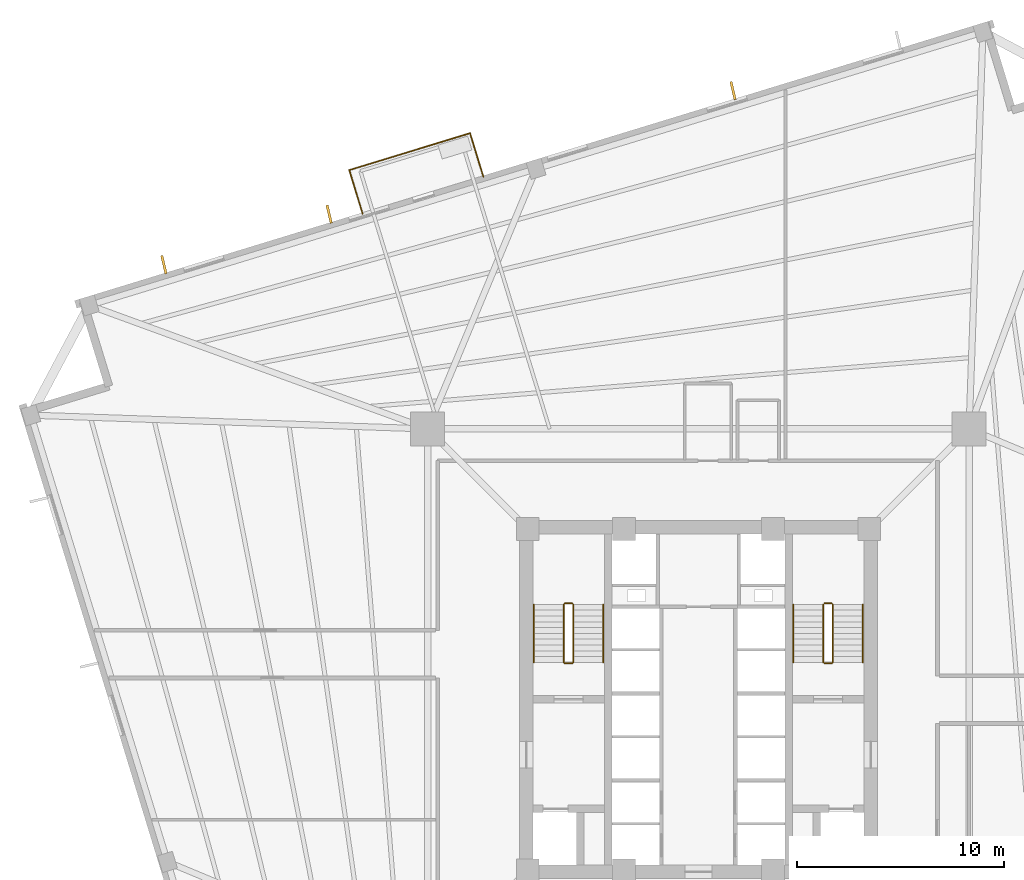
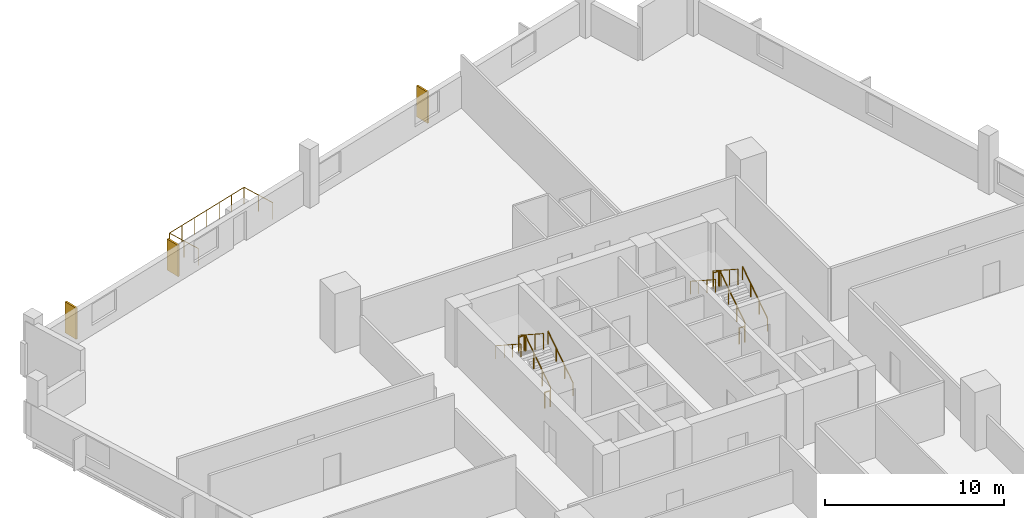
# One storey, part 7 of 8: 15 railings, 3 coverings.
"""IFC4 building model written with IfcOpenShell, lengths in metres."""

from ifc_helpers import new_model, si_unit, direction, frame, origin, origin_2d, place, context, subcontext, project, spatial, rectangle, circle, extrude, source, transform, mapped, material, layer, layer_set, type_object, element, save


model = new_model("IFC4")

# Units and contexts
model_context = context("Model", 3, precision=1e-05, world=origin(), true_north=direction((0.0, 1.0)))
body_context = subcontext(model_context, "Body", "Model", "MODEL_VIEW")
ifc_project = project(units=[si_unit("LENGTHUNIT", "METRE"), si_unit("AREAUNIT", "SQUARE_METRE"), si_unit("VOLUMEUNIT", "CUBIC_METRE"), si_unit("PLANEANGLEUNIT", "RADIAN"), si_unit("MASSUNIT", "GRAM", prefix="KILO"), si_unit("THERMODYNAMICTEMPERATUREUNIT", "KELVIN")], contexts=[model_context])

# Site, building, storey
site_placement = place(None, origin())
site = spatial("IfcSite", under=ifc_project, at=site_placement, CompositionType="ELEMENT")
building_placement = place(site_placement, origin())
building = spatial("IfcBuilding", under=site, at=building_placement, Name="Kosmvard Interchange Tower", CompositionType="ELEMENT")
storey_placement = place(building_placement, frame((0.0, 0.0, 135.199951171875)))
storey = spatial("IfcBuildingStorey", under=building, at=storey_placement, Name="L32", CompositionType="ELEMENT", Elevation=135.199951171875)

# Coverings
ifc_material_1 = material(Name="Architectural anodised aluminium", Category="aluminium")
ifc_layer = layer(ifc_material_1, 0.1201171875, Name="Architectural anodised aluminium")
ifc_layer_set = layer_set([ifc_layer], Name="Architectural anodised aluminium")
covering_type = type_object("IfcCoveringType", Name="Rotating Vertical Sun-Breaker Fin 900x120 Aluminium", PredefinedType="CLADDING", material=ifc_layer_set)
shared_shape_1 = source(origin(), body_context, "Body", "SweptSolid", [
    extrude(rectangle(XDim=0.89990234375, YDim=0.1201171875, at=origin_2d()), origin(), (0.0, 0.0, 1.0), 2.1201171875),
])
for number, where, z_axis, x_axis, name in (
    (1, (1.673583984375, 29.425048828125, 0.0400390625), (0.0, 0.0, 1.0), (-0.227841074111, 0.973698333648, 0.0), "L32 Rotating Vertical Sun-Breaker Fin 10"),
    (2, (-17.841796875, 23.45849609375, 0.0400390625), (0.0, 0.0, 1.0), (-0.227841074111, 0.973698333648, 0.0), "L32 Rotating Vertical Sun-Breaker Fin 11"),
    (3, (-25.825439453125, 21.017822265625, 0.0400390625), (0.0, 0.0, 1.0), (-0.227841074111, 0.973698333648, 0.0), "L32 Rotating Vertical Sun-Breaker Fin 12"),
):
    element("IfcCovering", number, at=place(storey_placement, frame(where, z_axis=z_axis, x_axis=x_axis)), inside=storey, type_object=covering_type, Name=name, PredefinedType="CLADDING", context=body_context, shape_type="MappedRepresentation", body=[
        mapped(shared_shape_1, transform((0.0, 0.0, 0.0), scale=1.0)),
    ])

# Railings
ifc_material_2 = material(Name="Steel S355", Category="steel")
railing_type_1 = type_object("IfcRailingType", Name="Observation & Balcony Glass-Infill Balustrade 1150", PredefinedType="BALUSTRADE", material=ifc_material_2)
shared_shape_2 = source(origin(), body_context, "Body", "SweptSolid", [
    extrude(circle(Radius=0.02392578125, at=origin_2d()), frame((0.0, 0.0, 1.1259765625), z_axis=(0.292291835236, -0.956329170869, 0.0), x_axis=(0.956329170869, 0.292291835236, 0.0)), (0.0, 0.0, 1.0), 2.2001953125),
    extrude(circle(Radius=0.02099609375, at=origin_2d()), origin(), (0.0, 0.0, 1.0), 1.101806640625),
    extrude(circle(Radius=0.02099609375, at=origin_2d()), frame((0.321533203125, -1.052001953125, 0.0)), (0.0, 0.0, 1.0), 1.101806640625),
    extrude(circle(Radius=0.02099609375, at=origin_2d()), frame((0.64306640625, -2.10400390625, 0.0)), (0.0, 0.0, 1.0), 1.101806640625),
])
railing_1_placement = place(storey_placement, frame((-16.86767578125, 25.58642578125, 0.0)))
element("IfcRailing", 4, at=railing_1_placement, inside=storey, type_object=railing_type_1, Name="L32 Outdoor Terrace Guard BAL-L32-NE-C", PredefinedType="BALUSTRADE", context=body_context, shape_type="MappedRepresentation", body=[
    mapped(shared_shape_2, transform((0.0, 0.0, 0.0), scale=1.0)),
])
shared_shape_3 = source(origin(), body_context, "Body", "SweptSolid", [
    extrude(circle(Radius=0.02392578125, at=origin_2d()), frame((0.0, 0.0, 1.1259765625), z_axis=(-0.292291835236, 0.956329170869, 0.0), x_axis=(-0.956329170869, -0.292291835236, 0.0)), (0.0, 0.0, 1.0), 2.2001953125),
    extrude(circle(Radius=0.02099609375, at=origin_2d()), origin(), (0.0, 0.0, 1.0), 1.101806640625),
    extrude(circle(Radius=0.02099609375, at=origin_2d()), frame((-0.321533203125, 1.052001953125, 0.0)), (0.0, 0.0, 1.0), 1.101806640625),
    extrude(circle(Radius=0.02099609375, at=origin_2d()), frame((-0.64306640625, 2.10400390625, 0.0)), (0.0, 0.0, 1.0), 1.101806640625),
])
railing_2_placement = place(storey_placement, frame((-10.39111328125, 25.265869140625, 0.0)))
element("IfcRailing", 5, at=railing_2_placement, inside=storey, type_object=railing_type_1, Name="L32 Outdoor Terrace Guard BAL-L32-NE-A", PredefinedType="BALUSTRADE", context=body_context, shape_type="MappedRepresentation", body=[
    mapped(shared_shape_3, transform((0.0, 0.0, 0.0), scale=1.0)),
])
shared_shape_4 = source(origin(), body_context, "Body", "SweptSolid", [
    extrude(circle(Radius=0.02392578125, at=origin_2d()), frame((0.0, 0.0, 1.1259765625), z_axis=(-0.956306198406, -0.292366986664, 0.0), x_axis=(0.292366986664, -0.956306198406, 0.0)), (0.0, 0.0, 1.0), 6.10009765625),
    extrude(circle(Radius=0.02099609375, at=origin_2d()), origin(), (0.0, 0.0, 1.0), 1.101806640625),
    extrude(circle(Radius=0.02099609375, at=origin_2d()), frame((-0.97216796875, -0.29736328125, 0.0)), (0.0, 0.0, 1.0), 1.101806640625),
    extrude(circle(Radius=0.02099609375, at=origin_2d()), frame((-1.944580078125, -0.594482421875, 0.0)), (0.0, 0.0, 1.0), 1.101806640625),
    extrude(circle(Radius=0.02099609375, at=origin_2d()), frame((-2.916748046875, -0.8916015625, 0.0)), (0.0, 0.0, 1.0), 1.101806640625),
    extrude(circle(Radius=0.02099609375, at=origin_2d()), frame((-3.888916015625, -1.18896484375, 0.0)), (0.0, 0.0, 1.0), 1.101806640625),
    extrude(circle(Radius=0.02099609375, at=origin_2d()), frame((-4.861328125, -1.486328125, 0.0)), (0.0, 0.0, 1.0), 1.101806640625),
    extrude(circle(Radius=0.02099609375, at=origin_2d()), frame((-5.83349609375, -1.783447265625, 0.0)), (0.0, 0.0, 1.0), 1.101806640625),
])
railing_3_placement = place(storey_placement, frame((-11.0341796875, 27.369873046875, 0.0)))
element("IfcRailing", 6, at=railing_3_placement, inside=storey, type_object=railing_type_1, Name="L32 Outdoor Terrace Guard BAL-L32-NE-B", PredefinedType="BALUSTRADE", context=body_context, shape_type="MappedRepresentation", body=[
    mapped(shared_shape_4, transform((0.0, 0.0, 0.0), scale=1.0)),
])
railing_type_2 = type_object("IfcRailingType", Name="Stair & Terrace Safety Guardrail 1100 Steel", PredefinedType="GUARDRAIL", material=ifc_material_2)
shared_shape_5 = source(origin(), body_context, "Body", "SweptSolid", [
    extrude(circle(Radius=0.02392578125, at=origin_2d()), frame((0.0, 0.0, 1.076171875), z_axis=(-1.0, 0.0, 0.0), x_axis=(0.0, -1.0, 0.0)), (0.0, 0.0, 1.0), 0.35986328125),
    extrude(circle(Radius=0.02099609375, at=origin_2d()), origin(), (0.0, 0.0, 1.0), 1.052001953125),
    extrude(circle(Radius=0.02099609375, at=origin_2d()), frame((-0.35986328125, 0.0, 0.0)), (0.0, 0.0, 1.0), 1.052001953125),
])
for number, where, name in (
    (7, (-6.090087890625, 4.64990234375, 2.0), "L32 ST-1 stair guard 2"),
    (8, (-6.090087890625, 1.75, 0.0), "L32 ST-1 stair guard 4"),
    (9, (6.449951171875, 4.64990234375, 2.0), "L32 ST-2 stair guard 2"),
    (10, (6.449951171875, 1.75, 0.0), "L32 ST-2 stair guard 4"),
):
    element("IfcRailing", number, at=place(storey_placement, frame(where)), inside=storey, type_object=railing_type_2, Name=name, PredefinedType="GUARDRAIL", context=body_context, shape_type="MappedRepresentation", body=[
        mapped(shared_shape_5, transform((0.0, 0.0, 0.0), scale=1.0)),
    ])
shared_shape_6 = source(origin(), body_context, "Body", "SweptSolid", [
    extrude(circle(Radius=0.02392578125, at=origin_2d()), frame((0.0, 0.0, 1.076171875), z_axis=(0.0, 0.838705829183, 0.544584733623), x_axis=(-1.0, 0.0, 0.0)), (0.0, 0.0, 1.0), 3.338623046875),
    extrude(circle(Radius=0.02099609375, at=origin_2d()), origin(), (0.0, 0.0, 1.0), 1.052001953125),
    extrude(circle(Radius=0.02099609375, at=origin_2d()), frame((0.0, 0.933349609375, 0.60595703125)), (0.0, 0.0, 1.0), 1.052001953125),
    extrude(circle(Radius=0.02099609375, at=origin_2d()), frame((0.0, 1.86669921875, 1.212158203125)), (0.0, 0.0, 1.0), 1.052001953125),
    extrude(circle(Radius=0.02099609375, at=origin_2d()), frame((0.0, 2.800048828125, 1.818115234375)), (0.0, 0.0, 1.0), 1.052001953125),
])
for number, where, name in (
    (11, (-6.0400390625, 1.800048828125, 0.181884765625), "L32 ST-1 stair guard 1"),
    (12, (6.5, 1.800048828125, 0.181884765625), "L32 ST-2 stair guard 1"),
):
    element("IfcRailing", number, at=place(storey_placement, frame(where)), inside=storey, type_object=railing_type_2, Name=name, PredefinedType="GUARDRAIL", context=body_context, shape_type="MappedRepresentation", body=[
        mapped(shared_shape_6, transform((0.0, 0.0, 0.0), scale=1.0)),
    ])
shared_shape_7 = source(origin(), body_context, "Body", "SweptSolid", [
    extrude(circle(Radius=0.02392578125, at=origin_2d()), frame((0.0, 0.0, 1.076171875), z_axis=(0.0, -0.838705829183, 0.544584733623), x_axis=(1.0, 0.0, 0.0)), (0.0, 0.0, 1.0), 3.338623046875),
    extrude(circle(Radius=0.02099609375, at=origin_2d()), origin(), (0.0, 0.0, 1.0), 1.052001953125),
    extrude(circle(Radius=0.02099609375, at=origin_2d()), frame((0.0, -0.933349609375, 0.60595703125)), (0.0, 0.0, 1.0), 1.052001953125),
    extrude(circle(Radius=0.02099609375, at=origin_2d()), frame((0.0, -1.86669921875, 1.212158203125)), (0.0, 0.0, 1.0), 1.052001953125),
    extrude(circle(Radius=0.02099609375, at=origin_2d()), frame((0.0, -2.800048828125, 1.818115234375)), (0.0, 0.0, 1.0), 1.052001953125),
])
for number, where, name in (
    (13, (-6.5, 4.60009765625, 2.181884765625), "L32 ST-1 stair guard 3"),
    (14, (6.0400390625, 4.60009765625, 2.181884765625), "L32 ST-2 stair guard 3"),
):
    element("IfcRailing", number, at=place(storey_placement, frame(where)), inside=storey, type_object=railing_type_2, Name=name, PredefinedType="GUARDRAIL", context=body_context, shape_type="MappedRepresentation", body=[
        mapped(shared_shape_7, transform((0.0, 0.0, 0.0), scale=1.0)),
    ])
railing_type_3 = type_object("IfcRailingType", Name="Wall-Mounted Stair Handrail 900 Steel", PredefinedType="HANDRAIL", material=ifc_material_2)
shared_shape_8 = source(origin(), body_context, "Body", "SweptSolid", [
    extrude(circle(Radius=0.02392578125, at=origin_2d()), frame((0.0, 0.0, 0.8759765625), z_axis=(0.0, 0.838705829183, 0.544584733623), x_axis=(-1.0, 0.0, 0.0)), (0.0, 0.0, 1.0), 3.338623046875),
    extrude(circle(Radius=0.02099609375, at=origin_2d()), origin(), (0.0, 0.0, 1.0), 0.851806640625),
    extrude(circle(Radius=0.02099609375, at=origin_2d()), frame((0.0, 0.933349609375, 0.60595703125)), (0.0, 0.0, 1.0), 0.851806640625),
    extrude(circle(Radius=0.02099609375, at=origin_2d()), frame((0.0, 1.86669921875, 1.212158203125)), (0.0, 0.0, 1.0), 0.851806640625),
    extrude(circle(Radius=0.02099609375, at=origin_2d()), frame((0.0, 2.800048828125, 1.818115234375)), (0.0, 0.0, 1.0), 0.851806640625),
])
for number, where, name in (
    (15, (-4.590087890625, 1.800048828125, 0.181884765625), "L32 ST-1 stair handrail 1"),
    (16, (7.949951171875, 1.800048828125, 0.181884765625), "L32 ST-2 stair handrail 1"),
):
    element("IfcRailing", number, at=place(storey_placement, frame(where)), inside=storey, type_object=railing_type_3, Name=name, PredefinedType="HANDRAIL", context=body_context, shape_type="MappedRepresentation", body=[
        mapped(shared_shape_8, transform((0.0, 0.0, 0.0), scale=1.0)),
    ])
shared_shape_9 = source(origin(), body_context, "Body", "SweptSolid", [
    extrude(circle(Radius=0.02392578125, at=origin_2d()), frame((0.0, 0.0, 0.8759765625), z_axis=(0.0, -0.838705829183, 0.544584733623), x_axis=(1.0, 0.0, 0.0)), (0.0, 0.0, 1.0), 3.338623046875),
    extrude(circle(Radius=0.02099609375, at=origin_2d()), origin(), (0.0, 0.0, 1.0), 0.851806640625),
    extrude(circle(Radius=0.02099609375, at=origin_2d()), frame((0.0, -0.933349609375, 0.60595703125)), (0.0, 0.0, 1.0), 0.851806640625),
    extrude(circle(Radius=0.02099609375, at=origin_2d()), frame((0.0, -1.86669921875, 1.212158203125)), (0.0, 0.0, 1.0), 0.851806640625),
    extrude(circle(Radius=0.02099609375, at=origin_2d()), frame((0.0, -2.800048828125, 1.818115234375)), (0.0, 0.0, 1.0), 0.851806640625),
])
for number, where, name in (
    (17, (-7.949951171875, 4.60009765625, 2.181884765625), "L32 ST-1 stair handrail 2"),
    (18, (4.590087890625, 4.60009765625, 2.181884765625), "L32 ST-2 stair handrail 2"),
):
    element("IfcRailing", number, at=place(storey_placement, frame(where)), inside=storey, type_object=railing_type_3, Name=name, PredefinedType="HANDRAIL", context=body_context, shape_type="MappedRepresentation", body=[
        mapped(shared_shape_9, transform((0.0, 0.0, 0.0), scale=1.0)),
    ])

save(model, "model.ifc")
